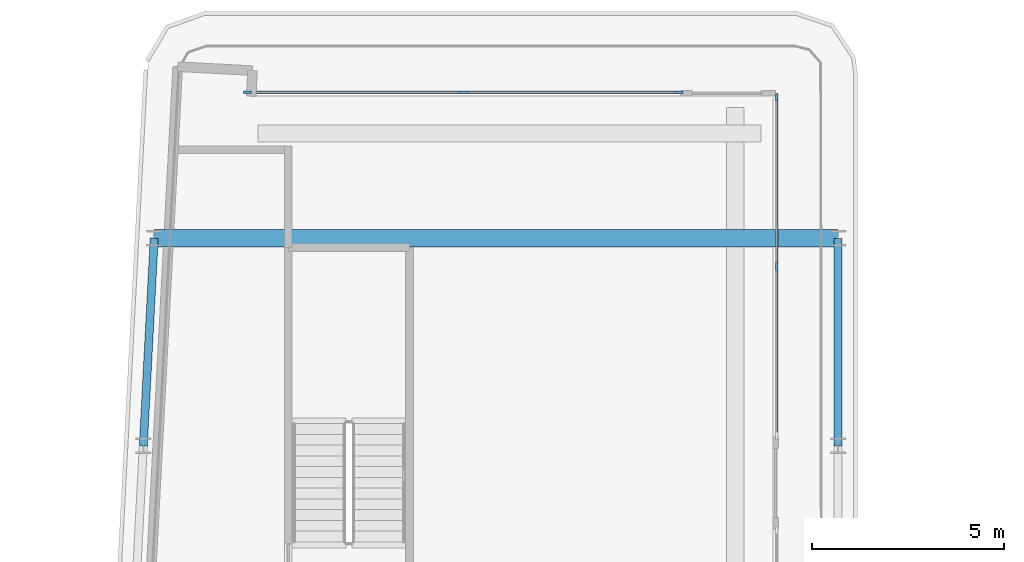
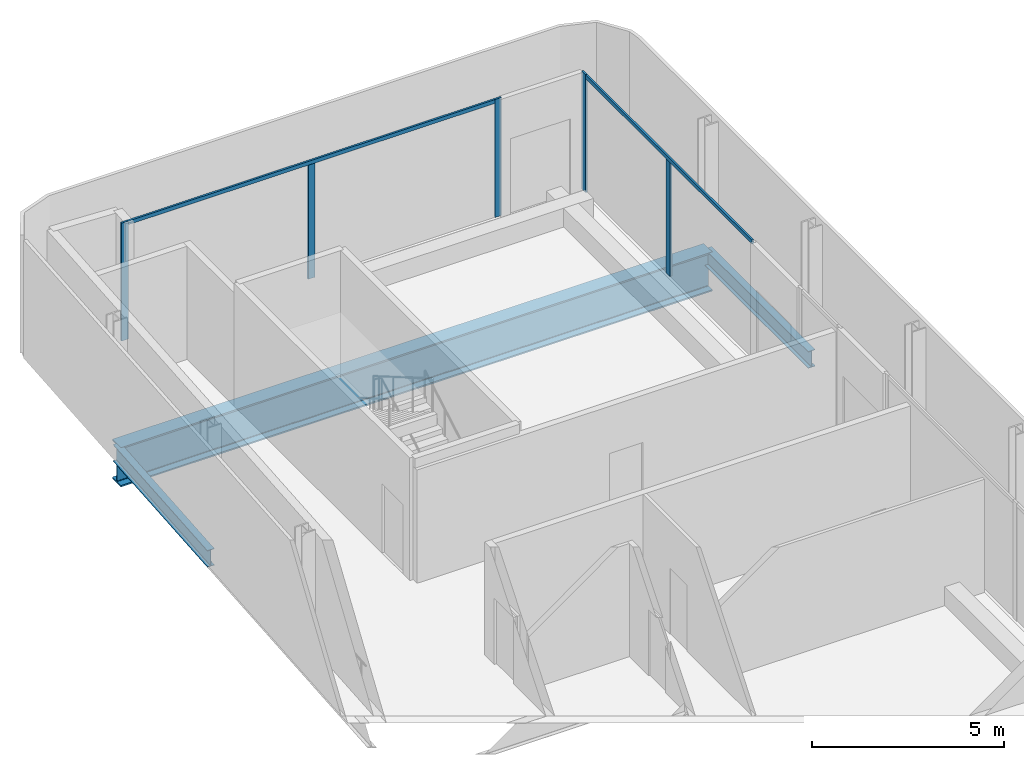
# One storey, part 7 of 21: 7 members, 3 beams, 2 elements without a shape of their own.
"""IFC4 building model written with IfcOpenShell, lengths in metres."""

import ifcopenshell
import ifcopenshell.guid

model = None  # the IFC model being written
_history = None  # IfcOwnerHistory: only IFC2X3 demands one
_inside = {}  # id of a spatial element -> (the spatial element, [elements in it])
_under = {}  # id of a project, library or spatial element -> (it, [spatial elements below it])
_declared = {}  # id of a project -> (the project, [libraries it declares])
_typed = {}  # id of a type object -> (the type object, [elements of that type])
_made_of = {}  # id of a material, layer set ... -> (it, [elements and type objects made of it])


def new_model(schema):
    """Start an empty IFC model of exactly this schema.

    Asked for "IFC4X3", IfcOpenShell would pick the latest addendum, in which some entities
    have other attributes; the version numbers below select the first issue.
    IFC2X3 requires an IfcOwnerHistory on every rooted entity: one is made here for all.
    """
    global model, _history
    if schema == "IFC4X3":
        model = ifcopenshell.file(schema_version=(4, 3, 0, 0))
    else:
        model = ifcopenshell.file(schema=schema)
    _inside.clear()
    _under.clear()
    _declared.clear()
    _typed.clear()
    _made_of.clear()
    _history = None
    if model.schema == "IFC2X3":
        org = make("IfcOrganization", Name="unknown")
        user = make(
            "IfcPersonAndOrganization",
            ThePerson=make("IfcPerson", FamilyName="unknown"),
            TheOrganization=org,
        )
        app = make(
            "IfcApplication",
            ApplicationDeveloper=org,
            Version="unknown",
            ApplicationFullName="unknown",
            ApplicationIdentifier="unknown",
        )
        _history = make(
            "IfcOwnerHistory",
            OwningUser=user,
            OwningApplication=app,
            ChangeAction="ADDED",
            CreationDate=0,
        )
    return model


def make(cls, **values):
    """One entity of the class cls with the attributes given. An attribute that is None is left unset."""
    return model.create_entity(
        cls, **{name: value for name, value in values.items() if value is not None}
    )


def rooted(cls, **values):
    """An entity with a GlobalId (a new one), such as an element, a storey or a relation."""
    return make(cls, GlobalId=ifcopenshell.guid.new(), OwnerHistory=_history, **values)


def si_unit(unit_type, name, prefix=None):
    """IfcSIUnit, for example si_unit("LENGTHUNIT", "METRE", prefix="MILLI")."""
    return make("IfcSIUnit", UnitType=unit_type, Prefix=prefix, Name=name)


def assignment(units):
    """IfcUnitAssignment: the units of a project."""
    return None if units is None else make("IfcUnitAssignment", Units=units)


def point(xyz):
    """IfcCartesianPoint."""
    return None if xyz is None else make("IfcCartesianPoint", Coordinates=xyz)


def direction(xyz):
    """IfcDirection."""
    return None if xyz is None else make("IfcDirection", DirectionRatios=xyz)


def frame(location, z_axis=None, x_axis=None):
    """IfcAxis2Placement3D, a coordinate frame: its origin and axes. An axis left out is left unset."""
    return make(
        "IfcAxis2Placement3D",
        Location=point(location),
        Axis=direction(z_axis),
        RefDirection=direction(x_axis),
    )


def frame_2d(location, x_axis=None):
    """IfcAxis2Placement2D, a coordinate frame in the plane: its origin and x axis."""
    return make(
        "IfcAxis2Placement2D", Location=point(location), RefDirection=direction(x_axis)
    )


def origin():
    """The frame at (0, 0, 0) with its axes left unset."""
    return frame((0.0, 0.0, 0.0))


def origin_2d():
    """The frame at (0, 0) in the plane with its x axis left unset."""
    return frame_2d((0.0, 0.0))


def place(relative_to, where):
    """IfcLocalPlacement: puts the frame where relative to a parent placement (None: the world)."""
    return make(
        "IfcLocalPlacement", PlacementRelTo=relative_to, RelativePlacement=where
    )


def context(
    kind, dimensions, precision=None, world=None, true_north=None, identifier=None
):
    """IfcGeometricRepresentationContext, for example the 3D "Model" context."""
    return make(
        "IfcGeometricRepresentationContext",
        ContextIdentifier=identifier,
        ContextType=kind,
        CoordinateSpaceDimension=dimensions,
        Precision=precision,
        WorldCoordinateSystem=world,
        TrueNorth=true_north,
    )


def subcontext(parent, identifier, kind, view, scale=None):
    """IfcGeometricRepresentationSubContext, for example "Body" below "Model"."""
    return make(
        "IfcGeometricRepresentationSubContext",
        ContextIdentifier=identifier,
        ContextType=kind,
        ParentContext=parent,
        TargetScale=scale,
        TargetView=view,
    )


def project(units=None, contexts=None):
    """IfcProject with its units and contexts."""
    return rooted(
        "IfcProject",
        Name="project",
        RepresentationContexts=contexts,
        UnitsInContext=assignment(units),
    )


def spatial(cls, under=None, at=None, **own):
    """A site, building, storey or space (cls), placed at a placement, below another one or the project."""
    s = rooted(cls, ObjectPlacement=at, **own)
    if under is not None:
        _under.setdefault(under.id(), (under, []))[1].append(s)
    return s


def profile(cls, at=None, kind="AREA", **sizes):
    """A parametric profile (cls). Its sizes go by their IFC names, for example OverallWidth=200.0."""
    return make(cls, ProfileType=kind, Position=at, **sizes)


def rectangle(**sizes):
    """IfcRectangleProfileDef."""
    return profile("IfcRectangleProfileDef", **sizes)


def i_section(**sizes):
    """IfcIShapeProfileDef."""
    return profile("IfcIShapeProfileDef", **sizes)


def extrude(swept, where, along, depth):
    """IfcExtrudedAreaSolid: the profile swept, set in the frame where, extruded along a direction by depth."""
    return make(
        "IfcExtrudedAreaSolid",
        SweptArea=swept,
        Position=where,
        ExtrudedDirection=direction(along),
        Depth=depth,
    )


def shape(context_of_items, identifier, shape_type, items):
    """IfcShapeRepresentation: the items that make up one representation, for example the "Body"."""
    return make(
        "IfcShapeRepresentation",
        ContextOfItems=context_of_items,
        RepresentationIdentifier=identifier,
        RepresentationType=shape_type,
        Items=items,
    )


def material(Name=None, Category=None):
    """IfcMaterial."""
    return make("IfcMaterial", Name=Name, Category=Category)


def layer(
    of_material, thickness, ventilated=None, Name=None, Category=None, Priority=None
):
    """IfcMaterialLayer: one layer of a wall or slab, of a material (None: an air gap)."""
    return make(
        "IfcMaterialLayer",
        Material=of_material,
        LayerThickness=thickness,
        IsVentilated=ventilated,
        Name=Name,
        Category=Category,
        Priority=Priority,
    )


def layer_set(layers, Name=None):
    """IfcMaterialLayerSet."""
    return make("IfcMaterialLayerSet", MaterialLayers=layers, LayerSetName=Name)


def material_profile(
    of_material, cross_section, Name=None, Category=None, Priority=None
):
    """IfcMaterialProfile: a cross section and its material."""
    return make(
        "IfcMaterialProfile",
        Name=Name,
        Material=of_material,
        Profile=cross_section,
        Priority=Priority,
        Category=Category,
    )


def profile_set(profiles, Name=None, composite=None):
    """IfcMaterialProfileSet."""
    return make(
        "IfcMaterialProfileSet",
        Name=Name,
        MaterialProfiles=profiles,
        CompositeProfile=composite,
    )


def made_of(thing, what):
    """Note that an element or type object is made of a material, layer set ...; save() writes the relation."""
    if what is not None:
        _made_of.setdefault(what.id(), (what, []))[1].append(thing)
    return thing


def type_object(cls, material=None, **own):
    """A type object (cls), such as IfcWallType, which elements share."""
    return made_of(rooted(cls, **own), material)


def element(
    cls,
    number,
    at=None,
    inside=None,
    cuts=None,
    type_object=None,
    material=None,
    context=None,
    identifier="Body",
    shape_type=None,
    held_by="IfcProductDefinitionShape",
    body=None,
    shapes=None,
    **own,
):
    """One element of the class cls, such as IfcWall. Its Tag is "e" and its number.

    at: its placement. inside: the storey or other place that contains it. cuts: it is an
    opening in that element (IfcRelVoidsElement). A single representation is given by context,
    identifier, shape_type and body (its items); several are given by shapes. held_by: the class
    of the entity that holds the representations. save() writes the other relations.
    """
    e = rooted(cls, Tag="e%d" % number, ObjectPlacement=at, **own)
    if body is not None:
        shapes = [shape(context, identifier, shape_type, body)]
    if shapes is not None:
        e.Representation = make(held_by, Representations=shapes)
    if inside is not None:
        _inside.setdefault(inside.id(), (inside, []))[1].append(e)
    if cuts is not None:
        rooted(
            "IfcRelVoidsElement", RelatingBuildingElement=cuts, RelatedOpeningElement=e
        )
    if type_object is not None:
        _typed.setdefault(type_object.id(), (type_object, []))[1].append(e)
    return made_of(e, material)


def aggregate(whole, parts):
    """IfcRelAggregates: a whole, such as a stair, and the parts it consists of."""
    return rooted("IfcRelAggregates", RelatingObject=whole, RelatedObjects=parts)


def save(model, path):
    """Write the relations noted so far, then the file.

    IfcRelAggregates (storeys below a building ...), IfcRelContainedInSpatialStructure (elements
    in a storey), IfcRelDefinesByType, IfcRelAssociatesMaterial and IfcRelDeclares: one each for
    every whole, place, type object, material and project.
    """
    for whole, parts in _under.values():
        aggregate(whole, parts)
    for where, things in _inside.values():
        rooted(
            "IfcRelContainedInSpatialStructure",
            RelatedElements=things,
            RelatingStructure=where,
        )
    for kind, things in _typed.values():
        rooted("IfcRelDefinesByType", RelatedObjects=things, RelatingType=kind)
    for what, things in _made_of.values():
        rooted("IfcRelAssociatesMaterial", RelatedObjects=things, RelatingMaterial=what)
    for by, libraries in _declared.values():
        rooted("IfcRelDeclares", RelatingContext=by, RelatedDefinitions=libraries)
    model.write(path)


model = new_model("IFC4")

# Units and contexts
model_context = context("Model", 3, precision=1e-05, world=origin(), true_north=direction((0.0, 1.0)))
body_context = subcontext(model_context, "Body", "Model", "MODEL_VIEW")
ifc_project = project(units=[si_unit("LENGTHUNIT", "METRE"), si_unit("AREAUNIT", "SQUARE_METRE"), si_unit("VOLUMEUNIT", "CUBIC_METRE"), si_unit("PLANEANGLEUNIT", "RADIAN"), si_unit("MASSUNIT", "GRAM", prefix="KILO")], contexts=[model_context])

# Site, building, storey
site_placement = place(None, origin())
site = spatial("IfcSite", under=ifc_project, at=site_placement, CompositionType="ELEMENT")
building_placement = place(site_placement, origin())
building = spatial("IfcBuilding", under=site, at=building_placement, Name="Kheshtan School and Residences Tower", CompositionType="ELEMENT")
storey_placement = place(building_placement, frame((0.0, 0.0, 235.699951171875)))
storey = spatial("IfcBuildingStorey", under=building, at=storey_placement, Name="L55", CompositionType="ELEMENT", Elevation=235.699951171875)

# Beams
ifc_material_1 = material(Name="Steel ASTM A992 Grade 50", Category="steel")
ifc_material_profile_1 = material_profile(ifc_material_1, i_section(OverallWidth=0.208984375, OverallDepth=0.532958984375, WebThickness=0.01025390625, FlangeThickness=0.015625, FilletRadius=0.013916015625, at=origin_2d()), Name="W530x92")
ifc_profile_set_1 = profile_set([ifc_material_profile_1], Name="Steel ASTM A992 Grade 50")
beam_type_1 = type_object("IfcBeamType", Name="Beam SP3 W530x92 ASTM A992 Grade 50", PredefinedType="BEAM", material=ifc_profile_set_1)
beam_1_placement = place(storey_placement, frame((47.60009765625, 88.800048828125, -0.41650390625), z_axis=(0.0, -1.0, 0.0), x_axis=(1.0, 0.0, 0.0)))
element("IfcBeam", 1, at=beam_1_placement, inside=storey, type_object=beam_type_1, Name="Spandrel beam C099-C091", PredefinedType="BEAM", context=body_context, shape_type="SweptSolid", body=[
    extrude(i_section(OverallWidth=0.208984375, OverallDepth=0.532958984375, WebThickness=0.01025390625, FlangeThickness=0.015625, FilletRadius=0.013916015625, at=origin_2d()), origin(), (0.0, 0.0, 1.0), 5.400146484375),
])
beam_2_placement = place(storey_placement, frame((29.527099609375, 83.39990234375, -0.41650390625), z_axis=(0.05250670125, 0.998620571751, 0.0), x_axis=(-0.998620571751, 0.05250670125, 0.0)))
element("IfcBeam", 2, at=beam_2_placement, inside=storey, type_object=beam_type_1, Name="Spandrel beam C090-C098", PredefinedType="BEAM", context=body_context, shape_type="SweptSolid", body=[
    extrude(i_section(OverallWidth=0.208984375, OverallDepth=0.532958984375, WebThickness=0.01025390625, FlangeThickness=0.015625, FilletRadius=0.013916015625, at=origin_2d()), origin(), (0.0, 0.0, 1.0), 5.40771484375),
])

# Curtain wall, members
ifc_material_2 = material(Name="Clear low-e glass in thermally broken aluminium frame", Category="aluminium")
ifc_layer = layer(ifc_material_2, 0.199951171875)
ifc_layer_set = layer_set([ifc_layer], Name="Curtain wall CW-L")
curtain_wall_type = type_object("IfcCurtainWallType", Name="Curtain wall CW-L", PredefinedType="NOTDEFINED", material=ifc_layer_set)
curtain_wall_1_placement = place(storey_placement, origin())
curtain_wall_1 = element("IfcCurtainWall", 3, at=curtain_wall_1_placement, inside=storey, type_object=curtain_wall_type, Name="Curtain wall CWL3a", PredefinedType="NOTDEFINED")
ifc_material_3 = material(Name="Thermally broken aluminium, dark bronze anodised", Category="aluminium")
ifc_material_profile_2 = material_profile(ifc_material_3, rectangle(XDim=0.06005859375, YDim=0.199951171875, at=origin_2d()), Name="CW-L mullion 60x200")
ifc_profile_set_2 = profile_set([ifc_material_profile_2], Name="Thermally broken aluminium, dark bronze anodised")
member_type_1 = type_object("IfcMemberType", Name="CW-L mullion 60x200", PredefinedType="MULLION", material=ifc_profile_set_2)
member_1_placement = place(storey_placement, frame((32.238037109375, 92.60009765625, 0.0), z_axis=(0.0, 0.0, 1.0), x_axis=(0.0, 1.0, 0.0)))
member_1 = element("IfcMember", 4, at=member_1_placement, type_object=member_type_1, Name="CWL3a mullion 1", PredefinedType="MULLION", context=body_context, shape_type="SweptSolid", body=[
    extrude(rectangle(XDim=0.06005859375, YDim=0.199951171875, at=origin_2d()), origin(), (0.0, 0.0, 1.0), 3.75),
])
member_2_placement = place(storey_placement, frame((37.85400390625, 92.60009765625, 0.0), z_axis=(0.0, 0.0, 1.0), x_axis=(0.0, 1.0, 0.0)))
member_2 = element("IfcMember", 5, at=member_2_placement, type_object=member_type_1, Name="CWL3a mullion 2", PredefinedType="MULLION", context=body_context, shape_type="SweptSolid", body=[
    extrude(rectangle(XDim=0.06005859375, YDim=0.199951171875, at=origin_2d()), origin(), (0.0, 0.0, 1.0), 3.630126953125),
])
member_3_placement = place(storey_placement, frame((43.469970703125, 92.60009765625, 0.0), z_axis=(0.0, 0.0, 1.0), x_axis=(0.0, 1.0, 0.0)))
member_3 = element("IfcMember", 6, at=member_3_placement, type_object=member_type_1, Name="CWL3a mullion 3", PredefinedType="MULLION", context=body_context, shape_type="SweptSolid", body=[
    extrude(rectangle(XDim=0.06005859375, YDim=0.199951171875, at=origin_2d()), origin(), (0.0, 0.0, 1.0), 3.75),
])

curtain_wall_2_placement = place(storey_placement, origin())
curtain_wall_2 = element("IfcCurtainWall", 7, at=curtain_wall_2_placement, inside=storey, type_object=curtain_wall_type, Name="Curtain wall CWL4b", PredefinedType="NOTDEFINED")
member_4_placement = place(storey_placement, frame((46.0, 92.469970703125, 0.0), z_axis=(0.0, 0.0, 1.0), x_axis=(1.0, 0.0, 0.0)))
member_4 = element("IfcMember", 8, at=member_4_placement, type_object=member_type_1, Name="CWL4b mullion 1", PredefinedType="MULLION", context=body_context, shape_type="SweptSolid", body=[
    extrude(rectangle(XDim=0.06005859375, YDim=0.199951171875, at=origin_2d()), origin(), (0.0, 0.0, 1.0), 3.75),
])
member_5_placement = place(storey_placement, frame((46.0, 88.066162109375, 0.0), z_axis=(0.0, 0.0, 1.0), x_axis=(1.0, 0.0, 0.0)))
member_5 = element("IfcMember", 9, at=member_5_placement, type_object=member_type_1, Name="CWL4b mullion 2", PredefinedType="MULLION", context=body_context, shape_type="SweptSolid", body=[
    extrude(rectangle(XDim=0.06005859375, YDim=0.199951171875, at=origin_2d()), origin(), (0.0, 0.0, 1.0), 3.630126953125),
])

# Member
ifc_material_profile_3 = material_profile(ifc_material_3, rectangle(XDim=0.06005859375, YDim=0.1201171875, at=origin_2d()), Name="CW-L transom 60x120")
ifc_profile_set_3 = profile_set([ifc_material_profile_3], Name="Thermally broken aluminium, dark bronze anodised")
member_type_2 = type_object("IfcMemberType", Name="CW-L transom 60x120", PredefinedType="USERDEFINED", material=ifc_profile_set_3)
member_6_placement = place(storey_placement, frame((32.26806640625, 92.60009765625, 3.68994140625), z_axis=(1.0, 0.0, 0.0), x_axis=(0.0, 1.0, 0.0)))
member_6 = element("IfcMember", 10, at=member_6_placement, type_object=member_type_2, Name="CWL3a transom 1", ObjectType="TRANSOM", PredefinedType="USERDEFINED", context=body_context, shape_type="SweptSolid", body=[
    extrude(rectangle(XDim=0.06005859375, YDim=0.1201171875, at=origin_2d()), origin(), (0.0, 0.0, 1.0), 11.171875),
])

aggregate(curtain_wall_1, [member_1, member_2, member_3, member_6])

member_7_placement = place(storey_placement, frame((46.0, 92.43994140625, 3.68994140625), z_axis=(0.0, -1.0, 0.0), x_axis=(1.0, 0.0, 0.0)))
member_7 = element("IfcMember", 11, at=member_7_placement, type_object=member_type_2, Name="CWL4b transom 1", ObjectType="TRANSOM", PredefinedType="USERDEFINED", context=body_context, shape_type="SweptSolid", body=[
    extrude(rectangle(XDim=0.06005859375, YDim=0.1201171875, at=origin_2d()), origin(), (0.0, 0.0, 1.0), 8.74755859375),
])

aggregate(curtain_wall_2, [member_4, member_5, member_7])

# Beam
ifc_material_profile_4 = material_profile(ifc_material_1, i_section(OverallWidth=0.449951171875, OverallDepth=1.25, WebThickness=0.02490234375, FlangeThickness=0.044921875, FilletRadius=0.03759765625, at=origin_2d()), Name="WWF1250x546")
ifc_profile_set_4 = profile_set([ifc_material_profile_4], Name="Steel ASTM A992 Grade 50")
beam_type_2 = type_object("IfcBeamType", Name="Transfer girder TG4 WWF1250x546 ASTM A992 Grade 50", PredefinedType="BEAM", material=ifc_profile_set_4)
beam_3_placement = place(storey_placement, frame((29.81103515625, 88.800048828125, -0.77490234375), z_axis=(1.0, 0.0, 0.0), x_axis=(0.0, 1.0, 0.0)))
element("IfcBeam", 12, at=beam_3_placement, inside=storey, type_object=beam_type_2, Name="Transfer girder C098-C099", PredefinedType="BEAM", context=body_context, shape_type="SweptSolid", body=[
    extrude(i_section(OverallWidth=0.449951171875, OverallDepth=1.25, WebThickness=0.02490234375, FlangeThickness=0.044921875, FilletRadius=0.03759765625, at=origin_2d()), origin(), (0.0, 0.0, 1.0), 17.7890625),
])

save(model, "model.ifc")
